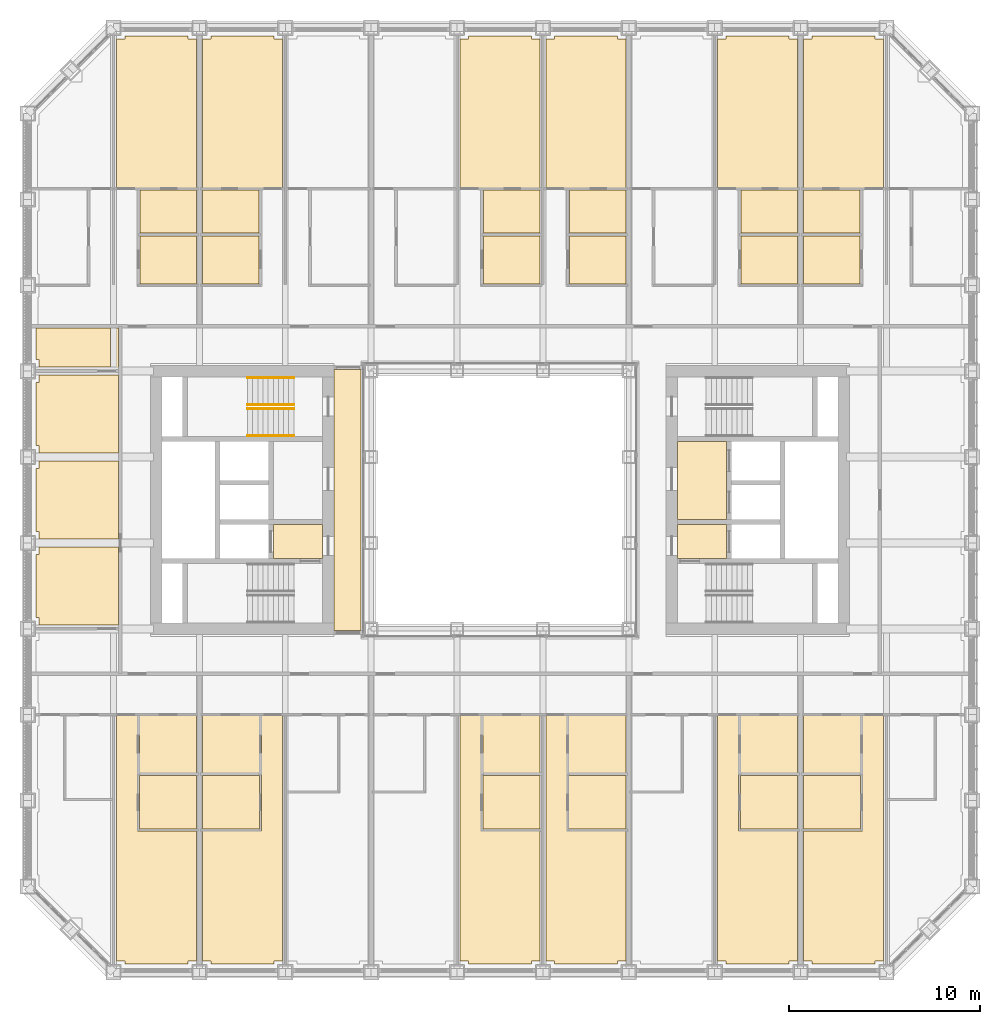
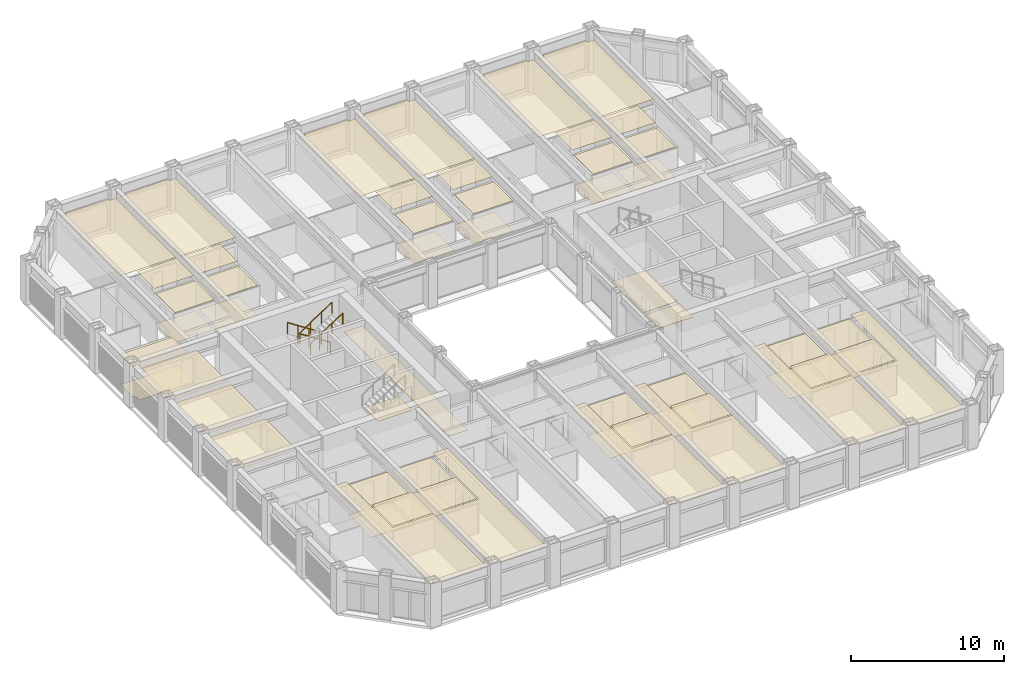
# One storey, part 18 of 21: 4 coverings, 4 railings.
"""IFC4 building model written with IfcOpenShell, lengths in metres."""

from ifc_helpers import new_model, si_unit, direction, frame, origin, origin_2d, place, context, subcontext, project, spatial, line, indexed_curve, circle, outline, extrude, material, layer, layer_set, type_object, element, save


model = new_model("IFC4")

# Units and contexts
model_context = context("Model", 3, precision=1e-05, world=origin(), true_north=direction((0.0, 1.0)))
body_context = subcontext(model_context, "Body", "Model", "MODEL_VIEW")
ifc_project = project(units=[si_unit("LENGTHUNIT", "METRE"), si_unit("AREAUNIT", "SQUARE_METRE"), si_unit("VOLUMEUNIT", "CUBIC_METRE"), si_unit("PLANEANGLEUNIT", "RADIAN"), si_unit("MASSUNIT", "GRAM", prefix="KILO")], contexts=[model_context])

# Site, building, storey
site_placement = place(None, origin())
site = spatial("IfcSite", under=ifc_project, at=site_placement, CompositionType="ELEMENT")
building_placement = place(site_placement, origin())
building = spatial("IfcBuilding", under=site, at=building_placement, Name="Msasa Ring Tower", CompositionType="ELEMENT")
storey_placement = place(building_placement, frame((0.0, 0.0, 51.0)))
storey = spatial("IfcBuildingStorey", under=building, at=storey_placement, Name="L12", CompositionType="ELEMENT", Elevation=51.0)

# Coverings
ifc_material_1 = material(Name="Gypsum plasterboard on a steel suspension grid", Category="steel")
ifc_layer_1 = layer(ifc_material_1, 0.014892578125)
ifc_layer_set_1 = layer_set([ifc_layer_1], Name="C1 SUSPENDED PLASTERBOARD CEILING 15")
covering_type_1 = type_object("IfcCoveringType", Name="C1 SUSPENDED PLASTERBOARD CEILING 15", PredefinedType="CEILING", material=ifc_layer_set_1)
covering_1_placement = place(storey_placement, frame((0.0, 0.0, 2.699951171875)))
element("IfcCovering", 1, at=covering_1_placement, inside=storey, type_object=covering_type_1, Name="Suspended Plasterboard Ceiling 15 L12", PredefinedType="CEILING", context=body_context, shape_type="SweptSolid", body=[
    extrude(outline(indexed_curve([(-20.00048828125, -6.539306640625), (-24.1494140625, -6.539306640625), (-24.1494140625, -6.1494140625), (-24.299560546875, -6.1494140625), (-24.299560546875, -2.8505859375), (-24.1494140625, -2.8505859375), (-24.1494140625, -2.460693359375), (-20.00048828125, -2.460693359375)], segments=[line(1, 2, 3, 4, 5, 6, 7, 8, 1)], self_intersect=False)), origin(), (0.0, 0.0, 1.0), 0.01513671875),
    extrude(outline(indexed_curve([(-20.00048828125, -2.039306640625), (-24.1494140625, -2.039306640625), (-24.1494140625, -1.6494140625), (-24.299560546875, -1.6494140625), (-24.299560546875, 1.6494140625), (-24.1494140625, 1.6494140625), (-24.1494140625, 2.039306640625), (-20.00048828125, 2.039306640625)], segments=[line(1, 2, 3, 4, 5, 6, 7, 8, 1)], self_intersect=False)), origin(), (0.0, 0.0, 1.0), 0.01513671875),
    extrude(outline(indexed_curve([(-20.00048828125, 2.460693359375), (-24.1494140625, 2.460693359375), (-24.1494140625, 2.8505859375), (-24.299560546875, 2.8505859375), (-24.299560546875, 6.1494140625), (-24.1494140625, 6.1494140625), (-24.1494140625, 6.539306640625), (-20.00048828125, 6.539306640625)], segments=[line(1, 2, 3, 4, 5, 6, 7, 8, 1)], self_intersect=False)), origin(), (0.0, 0.0, 1.0), 0.01513671875),
    extrude(outline(indexed_curve([(-19.6494140625, -24.299560546875), (-19.6494140625, -24.1494140625), (-20.095703125, -24.1494140625), (-20.095703125, -11.300537109375), (-19.00048828125, -11.300537109375), (-19.00048828125, -17.34130859375), (-15.904296875, -17.34130859375), (-15.904296875, -24.1494140625), (-16.3505859375, -24.1494140625), (-16.3505859375, -24.299560546875)], segments=[line(1, 2, 3, 4, 5, 6, 7, 8, 9, 10, 1)], self_intersect=False)), origin(), (0.0, 0.0, 1.0), 0.01513671875),
    extrude(outline(indexed_curve([(-20.095703125, 16.35546875), (-20.095703125, 24.1494140625), (-19.6494140625, 24.1494140625), (-19.6494140625, 24.299560546875), (-16.3505859375, 24.299560546875), (-16.3505859375, 24.1494140625), (-15.904296875, 24.1494140625), (-15.904296875, 16.35546875)], segments=[line(1, 2, 3, 4, 5, 6, 7, 8, 1)], self_intersect=False)), origin(), (0.0, 0.0, 1.0), 0.01513671875),
    extrude(outline(indexed_curve([(-15.904296875, -14.430419921875), (-15.904296875, -17.2353515625), (-18.8994140625, -17.2353515625), (-18.8994140625, -14.430419921875)], segments=[line(1, 2, 3, 4, 1)], self_intersect=False)), origin(), (0.0, 0.0, 1.0), 0.01513671875),
    extrude(outline(indexed_curve([(-15.904296875, 16.244384765625), (-15.904296875, 13.98046875), (-18.869384765625, 13.98046875), (-18.869384765625, 16.244384765625)], segments=[line(1, 2, 3, 4, 1)], self_intersect=False)), origin(), (0.0, 0.0, 1.0), 0.01513671875),
    extrude(outline(indexed_curve([(-15.1494140625, -24.299560546875), (-15.1494140625, -24.1494140625), (-15.595703125, -24.1494140625), (-15.595703125, -17.343994140625), (-12.49951171875, -17.343994140625), (-12.49951171875, -11.300537109375), (-11.404296875, -11.300537109375), (-11.404296875, -24.1494140625), (-11.8505859375, -24.1494140625), (-11.8505859375, -24.299560546875)], segments=[line(1, 2, 3, 4, 5, 6, 7, 8, 9, 10, 1)], self_intersect=False)), origin(), (0.0, 0.0, 1.0), 0.01513671875),
    extrude(outline(indexed_curve([(-12.6005859375, -14.430419921875), (-12.6005859375, -17.238037109375), (-15.595703125, -17.238037109375), (-15.595703125, -14.430419921875)], segments=[line(1, 2, 3, 4, 1)], self_intersect=False)), origin(), (0.0, 0.0, 1.0), 0.01513671875),
    extrude(outline(indexed_curve([(-12.630615234375, 16.244384765625), (-12.630615234375, 13.98046875), (-15.595703125, 13.98046875), (-15.595703125, 16.244384765625)], segments=[line(1, 2, 3, 4, 1)], self_intersect=False)), origin(), (0.0, 0.0, 1.0), 0.01513671875),
    extrude(outline(indexed_curve([(-11.8505859375, 24.299560546875), (-11.8505859375, 24.1494140625), (-11.404296875, 24.1494140625), (-11.404296875, 16.35546875), (-15.595703125, 16.35546875), (-15.595703125, 24.1494140625), (-15.1494140625, 24.1494140625), (-15.1494140625, 24.299560546875)], segments=[line(1, 2, 3, 4, 5, 6, 7, 8, 1)], self_intersect=False)), origin(), (0.0, 0.0, 1.0), 0.01513671875),
    extrude(outline(indexed_curve([(-1.00048828125, -11.300537109375), (-1.00048828125, -17.343994140625), (2.095703125, -17.343994140625), (2.095703125, -24.1494140625), (1.6494140625, -24.1494140625), (1.6494140625, -24.299560546875), (-1.6494140625, -24.299560546875), (-1.6494140625, -24.1494140625), (-2.095703125, -24.1494140625), (-2.095703125, -11.300537109375)], segments=[line(1, 2, 3, 4, 5, 6, 7, 8, 9, 10, 1)], self_intersect=False)), origin(), (0.0, 0.0, 1.0), 0.01513671875),
    extrude(outline(indexed_curve([(-2.095703125, 16.35546875), (-2.095703125, 24.1494140625), (-1.6494140625, 24.1494140625), (-1.6494140625, 24.299560546875), (1.6494140625, 24.299560546875), (1.6494140625, 24.1494140625), (2.095703125, 24.1494140625), (2.095703125, 16.35546875)], segments=[line(1, 2, 3, 4, 5, 6, 7, 8, 1)], self_intersect=False)), origin(), (0.0, 0.0, 1.0), 0.01513671875),
    extrude(outline(indexed_curve([(2.095703125, -14.430419921875), (2.095703125, -17.238037109375), (-0.8994140625, -17.238037109375), (-0.8994140625, -14.430419921875)], segments=[line(1, 2, 3, 4, 1)], self_intersect=False)), origin(), (0.0, 0.0, 1.0), 0.01513671875),
    extrude(outline(indexed_curve([(-0.869384765625, 16.244384765625), (2.095703125, 16.244384765625), (2.095703125, 13.98046875), (-0.869384765625, 13.98046875)], segments=[line(1, 2, 3, 4, 1)], self_intersect=False)), origin(), (0.0, 0.0, 1.0), 0.01513671875),
    extrude(outline(indexed_curve([(3.49951171875, -11.300537109375), (3.49951171875, -17.343994140625), (6.595703125, -17.343994140625), (6.595703125, -24.1494140625), (6.1494140625, -24.1494140625), (6.1494140625, -24.299560546875), (2.8505859375, -24.299560546875), (2.8505859375, -24.1494140625), (2.404296875, -24.1494140625), (2.404296875, -11.300537109375)], segments=[line(1, 2, 3, 4, 5, 6, 7, 8, 9, 10, 1)], self_intersect=False)), origin(), (0.0, 0.0, 1.0), 0.01513671875),
    extrude(outline(indexed_curve([(6.1494140625, 24.299560546875), (6.1494140625, 24.1494140625), (6.595703125, 24.1494140625), (6.595703125, 16.35546875), (2.404296875, 16.35546875), (2.404296875, 24.1494140625), (2.8505859375, 24.1494140625), (2.8505859375, 24.299560546875)], segments=[line(1, 2, 3, 4, 5, 6, 7, 8, 1)], self_intersect=False)), origin(), (0.0, 0.0, 1.0), 0.01513671875),
    extrude(outline(indexed_curve([(6.595703125, -14.430419921875), (6.595703125, -17.238037109375), (3.6005859375, -17.238037109375), (3.6005859375, -14.430419921875)], segments=[line(1, 2, 3, 4, 1)], self_intersect=False)), origin(), (0.0, 0.0, 1.0), 0.01513671875),
    extrude(outline(indexed_curve([(6.595703125, 16.244384765625), (6.595703125, 13.98046875), (3.630615234375, 13.98046875), (3.630615234375, 16.244384765625)], segments=[line(1, 2, 3, 4, 1)], self_intersect=False)), origin(), (0.0, 0.0, 1.0), 0.01513671875),
    extrude(outline(indexed_curve([(12.49951171875, -11.300537109375), (12.49951171875, -17.343994140625), (15.595703125, -17.343994140625), (15.595703125, -24.1494140625), (15.1494140625, -24.1494140625), (15.1494140625, -24.299560546875), (11.8505859375, -24.299560546875), (11.8505859375, -24.1494140625), (11.404296875, -24.1494140625), (11.404296875, -11.300537109375)], segments=[line(1, 2, 3, 4, 5, 6, 7, 8, 9, 10, 1)], self_intersect=False)), origin(), (0.0, 0.0, 1.0), 0.01513671875),
    extrude(outline(indexed_curve([(15.1494140625, 24.299560546875), (15.1494140625, 24.1494140625), (15.595703125, 24.1494140625), (15.595703125, 16.35546875), (11.404296875, 16.35546875), (11.404296875, 24.1494140625), (11.8505859375, 24.1494140625), (11.8505859375, 24.299560546875)], segments=[line(1, 2, 3, 4, 5, 6, 7, 8, 1)], self_intersect=False)), origin(), (0.0, 0.0, 1.0), 0.01513671875),
    extrude(outline(indexed_curve([(15.595703125, -14.430419921875), (15.595703125, -17.238037109375), (12.6005859375, -17.238037109375), (12.6005859375, -14.430419921875)], segments=[line(1, 2, 3, 4, 1)], self_intersect=False)), origin(), (0.0, 0.0, 1.0), 0.01513671875),
    extrude(outline(indexed_curve([(15.595703125, 16.244384765625), (15.595703125, 13.98046875), (12.630615234375, 13.98046875), (12.630615234375, 16.244384765625)], segments=[line(1, 2, 3, 4, 1)], self_intersect=False)), origin(), (0.0, 0.0, 1.0), 0.01513671875),
    extrude(outline(indexed_curve([(19.00048828125, -11.300537109375), (20.095703125, -11.300537109375), (20.095703125, -24.1494140625), (19.6494140625, -24.1494140625), (19.6494140625, -24.299560546875), (16.3505859375, -24.299560546875), (16.3505859375, -24.1494140625), (15.904296875, -24.1494140625), (15.904296875, -17.34130859375), (19.00048828125, -17.34130859375)], segments=[line(1, 2, 3, 4, 5, 6, 7, 8, 9, 10, 1)], self_intersect=False)), origin(), (0.0, 0.0, 1.0), 0.01513671875),
    extrude(outline(indexed_curve([(18.8994140625, -14.430419921875), (18.8994140625, -17.2353515625), (15.904296875, -17.2353515625), (15.904296875, -14.430419921875)], segments=[line(1, 2, 3, 4, 1)], self_intersect=False)), origin(), (0.0, 0.0, 1.0), 0.01513671875),
    extrude(outline(indexed_curve([(18.869384765625, 16.244384765625), (18.869384765625, 13.98046875), (15.904296875, 13.98046875), (15.904296875, 16.244384765625)], segments=[line(1, 2, 3, 4, 1)], self_intersect=False)), origin(), (0.0, 0.0, 1.0), 0.01513671875),
    extrude(outline(indexed_curve([(15.904296875, 16.35546875), (15.904296875, 24.1494140625), (16.3505859375, 24.1494140625), (16.3505859375, 24.299560546875), (19.6494140625, 24.299560546875), (19.6494140625, 24.1494140625), (20.095703125, 24.1494140625), (20.095703125, 16.35546875)], segments=[line(1, 2, 3, 4, 5, 6, 7, 8, 1)], self_intersect=False)), origin(), (0.0, 0.0, 1.0), 0.01513671875),
])
ifc_material_2 = material(Name="Moisture-resistant gypsum plasterboard on a steel suspension grid", Category="steel")
ifc_layer_2 = layer(ifc_material_2, 0.014892578125)
ifc_layer_set_2 = layer_set([ifc_layer_2], Name="C2 MOISTURE-RESISTANT PLASTERBOARD CEILING 15")
covering_type_2 = type_object("IfcCoveringType", Name="C2 MOISTURE-RESISTANT PLASTERBOARD CEILING 15", PredefinedType="CEILING", material=ifc_layer_set_2)
covering_2_placement = place(storey_placement, frame((0.0, 0.0, 2.39990234375)))
element("IfcCovering", 2, at=covering_2_placement, inside=storey, type_object=covering_type_2, Name="Moisture-Resistant Plasterboard Ceiling 15 L12", PredefinedType="CEILING", context=body_context, shape_type="SweptSolid", body=[
    extrude(outline(indexed_curve([(-20.404296875, 8.99951171875), (-20.404296875, 6.960693359375), (-24.1494140625, 6.960693359375), (-24.1494140625, 7.3505859375), (-24.299560546875, 7.3505859375), (-24.299560546875, 8.99951171875)], segments=[line(1, 2, 3, 4, 5, 6, 1)], self_intersect=False)), origin(), (0.0, 0.0, 1.0), 0.01513671875),
    extrude(outline(indexed_curve([(-18.8994140625, -14.299560546875), (-18.8994140625, -11.300537109375), (-15.904296875, -11.300537109375), (-15.904296875, -14.299560546875)], segments=[line(1, 2, 3, 4, 1)], self_intersect=False)), origin(), (0.0, 0.0, 1.0), 0.01513671875),
    extrude(outline(indexed_curve([(-18.869384765625, 13.819580078125), (-15.904296875, 13.819580078125), (-15.904296875, 11.305419921875), (-18.869384765625, 11.305419921875)], segments=[line(1, 2, 3, 4, 1)], self_intersect=False)), origin(), (0.0, 0.0, 1.0), 0.01513671875),
    extrude(outline(indexed_curve([(-12.6005859375, -11.300537109375), (-12.6005859375, -14.299560546875), (-15.595703125, -14.299560546875), (-15.595703125, -11.300537109375)], segments=[line(1, 2, 3, 4, 1)], self_intersect=False)), origin(), (0.0, 0.0, 1.0), 0.01513671875),
    extrude(outline(indexed_curve([(-12.630615234375, 13.819580078125), (-12.630615234375, 11.305419921875), (-15.595703125, 11.305419921875), (-15.595703125, 13.819580078125)], segments=[line(1, 2, 3, 4, 1)], self_intersect=False)), origin(), (0.0, 0.0, 1.0), 0.01513671875),
    extrude(outline(indexed_curve([(-0.8994140625, -11.300537109375), (2.095703125, -11.300537109375), (2.095703125, -14.299560546875), (-0.8994140625, -14.299560546875)], segments=[line(1, 2, 3, 4, 1)], self_intersect=False)), origin(), (0.0, 0.0, 1.0), 0.01513671875),
    extrude(outline(indexed_curve([(-0.869384765625, 11.305419921875), (-0.869384765625, 13.819580078125), (2.095703125, 13.819580078125), (2.095703125, 11.305419921875)], segments=[line(1, 2, 3, 4, 1)], self_intersect=False)), origin(), (0.0, 0.0, 1.0), 0.01513671875),
    extrude(outline(indexed_curve([(3.6005859375, -11.300537109375), (6.595703125, -11.300537109375), (6.595703125, -14.299560546875), (3.6005859375, -14.299560546875)], segments=[line(1, 2, 3, 4, 1)], self_intersect=False)), origin(), (0.0, 0.0, 1.0), 0.01513671875),
    extrude(outline(indexed_curve([(3.630615234375, 13.819580078125), (6.595703125, 13.819580078125), (6.595703125, 11.305419921875), (3.630615234375, 11.305419921875)], segments=[line(1, 2, 3, 4, 1)], self_intersect=False)), origin(), (0.0, 0.0, 1.0), 0.01513671875),
    extrude(outline(indexed_curve([(12.6005859375, -11.300537109375), (15.595703125, -11.300537109375), (15.595703125, -14.299560546875), (12.6005859375, -14.299560546875)], segments=[line(1, 2, 3, 4, 1)], self_intersect=False)), origin(), (0.0, 0.0, 1.0), 0.01513671875),
    extrude(outline(indexed_curve([(12.630615234375, 13.819580078125), (15.595703125, 13.819580078125), (15.595703125, 11.305419921875), (12.630615234375, 11.305419921875)], segments=[line(1, 2, 3, 4, 1)], self_intersect=False)), origin(), (0.0, 0.0, 1.0), 0.01513671875),
    extrude(outline(indexed_curve([(18.8994140625, -11.300537109375), (18.8994140625, -14.299560546875), (15.904296875, -14.299560546875), (15.904296875, -11.300537109375)], segments=[line(1, 2, 3, 4, 1)], self_intersect=False)), origin(), (0.0, 0.0, 1.0), 0.01513671875),
    extrude(outline(indexed_curve([(18.869384765625, 13.819580078125), (18.869384765625, 11.305419921875), (15.904296875, 11.305419921875), (15.904296875, 13.819580078125)], segments=[line(1, 2, 3, 4, 1)], self_intersect=False)), origin(), (0.0, 0.0, 1.0), 0.01513671875),
])
ifc_material_3 = material(Name="Honed granite tiles on a mortar bed", Category="masonry")
ifc_layer_3 = layer(ifc_material_3, 0.030029296875)
ifc_layer_set_3 = layer_set([ifc_layer_3], Name="F1 HONED GRANITE ON BEDDING 30")
covering_type_3 = type_object("IfcCoveringType", Name="F1 HONED GRANITE ON BEDDING 30", PredefinedType="FLOORING", material=ifc_layer_set_3)
covering_3_placement = place(storey_placement, origin())
element("IfcCovering", 3, at=covering_3_placement, inside=storey, type_object=covering_type_3, Name="Honed Granite On Bedding 30 L12", PredefinedType="FLOORING", context=body_context, shape_type="SweptSolid", body=[
    extrude(outline(indexed_curve([(-11.87451171875, -3.074462890625), (-11.87451171875, -1.275390625), (-9.300537109375, -1.275390625), (-9.300537109375, -3.074462890625)], segments=[line(1, 2, 3, 4, 1)], self_intersect=False)), origin(), (0.0, 0.0, 1.0), 0.030029296875),
    extrude(outline(indexed_curve([(-8.699462890625, -6.849609375), (-8.699462890625, 6.849609375), (-7.280029296875, 6.849609375), (-7.280029296875, -6.849609375)], segments=[line(1, 2, 3, 4, 1)], self_intersect=False)), origin(), (0.0, 0.0, 1.0), 0.030029296875),
    extrude(outline(indexed_curve([(9.300537109375, -3.074462890625), (9.300537109375, -1.275390625), (11.87451171875, -1.275390625), (11.87451171875, -3.074462890625)], segments=[line(1, 2, 3, 4, 1)], self_intersect=False)), origin(), (0.0, 0.0, 1.0), 0.030029296875),
    extrude(outline(indexed_curve([(9.300537109375, -1.0244140625), (9.300537109375, 3.074462890625), (11.87451171875, 3.074462890625), (11.87451171875, -1.0244140625)], segments=[line(1, 2, 3, 4, 1)], self_intersect=False)), origin(), (0.0, 0.0, 1.0), 0.030029296875),
])
ifc_material_4 = material(Name="Porcelain floor tiles in adhesive", Category="ceramic")
ifc_layer_4 = layer(ifc_material_4, 0.010009765625)
ifc_layer_set_4 = layer_set([ifc_layer_4], Name="F4 PORCELAIN TILE ON ADHESIVE 10")
covering_type_4 = type_object("IfcCoveringType", Name="F4 PORCELAIN TILE ON ADHESIVE 10", PredefinedType="FLOORING", material=ifc_layer_set_4)
covering_4_placement = place(storey_placement, origin())
element("IfcCovering", 4, at=covering_4_placement, inside=storey, type_object=covering_type_4, Name="Porcelain Tile On Adhesive 10 L12", PredefinedType="FLOORING", context=body_context, shape_type="SweptSolid", body=[
    extrude(outline(indexed_curve([(-20.00048828125, 6.83056640625), (-24.1494140625, 6.83056640625), (-24.1494140625, 7.3505859375), (-24.299560546875, 7.3505859375), (-24.299560546875, 8.99951171875), (-20.00048828125, 8.99951171875)], segments=[line(1, 2, 3, 4, 5, 6, 1)], self_intersect=False)), origin(), (0.0, 0.0, 1.0), 0.010009765625),
    extrude(outline(indexed_curve([(-15.87548828125, -11.300537109375), (-15.87548828125, -14.2744140625), (-18.87451171875, -14.2744140625), (-18.87451171875, -11.300537109375)], segments=[line(1, 2, 3, 4, 1)], self_intersect=False)), origin(), (0.0, 0.0, 1.0), 0.010009765625),
    extrude(outline(indexed_curve([(-15.87548828125, 13.819580078125), (-15.87548828125, 11.305419921875), (-18.869384765625, 11.305419921875), (-18.869384765625, 13.819580078125)], segments=[line(1, 2, 3, 4, 1)], self_intersect=False)), origin(), (0.0, 0.0, 1.0), 0.010009765625),
    extrude(outline(indexed_curve([(-12.62548828125, -11.300537109375), (-12.62548828125, -14.2744140625), (-15.62451171875, -14.2744140625), (-15.62451171875, -11.300537109375)], segments=[line(1, 2, 3, 4, 1)], self_intersect=False)), origin(), (0.0, 0.0, 1.0), 0.010009765625),
    extrude(outline(indexed_curve([(-12.630615234375, 13.819580078125), (-12.630615234375, 11.305419921875), (-15.62451171875, 11.305419921875), (-15.62451171875, 13.819580078125)], segments=[line(1, 2, 3, 4, 1)], self_intersect=False)), origin(), (0.0, 0.0, 1.0), 0.010009765625),
    extrude(outline(indexed_curve([(2.189453125, -11.300537109375), (2.189453125, -14.2744140625), (-0.87451171875, -14.2744140625), (-0.87451171875, -11.300537109375)], segments=[line(1, 2, 3, 4, 1)], self_intersect=False)), origin(), (0.0, 0.0, 1.0), 0.010009765625),
    extrude(outline(indexed_curve([(-0.869384765625, 13.819580078125), (2.189453125, 13.819580078125), (2.189453125, 11.305419921875), (-0.869384765625, 11.305419921875)], segments=[line(1, 2, 3, 4, 1)], self_intersect=False)), origin(), (0.0, 0.0, 1.0), 0.010009765625),
    extrude(outline(indexed_curve([(6.62451171875, -11.300537109375), (6.62451171875, -14.2744140625), (3.62548828125, -14.2744140625), (3.62548828125, -11.300537109375)], segments=[line(1, 2, 3, 4, 1)], self_intersect=False)), origin(), (0.0, 0.0, 1.0), 0.010009765625),
    extrude(outline(indexed_curve([(6.62451171875, 13.819580078125), (6.62451171875, 11.305419921875), (3.630615234375, 11.305419921875), (3.630615234375, 13.819580078125)], segments=[line(1, 2, 3, 4, 1)], self_intersect=False)), origin(), (0.0, 0.0, 1.0), 0.010009765625),
    extrude(outline(indexed_curve([(15.62451171875, -11.300537109375), (15.62451171875, -14.2744140625), (12.62548828125, -14.2744140625), (12.62548828125, -11.300537109375)], segments=[line(1, 2, 3, 4, 1)], self_intersect=False)), origin(), (0.0, 0.0, 1.0), 0.010009765625),
    extrude(outline(indexed_curve([(15.62451171875, 13.819580078125), (15.62451171875, 11.305419921875), (12.630615234375, 11.305419921875), (12.630615234375, 13.819580078125)], segments=[line(1, 2, 3, 4, 1)], self_intersect=False)), origin(), (0.0, 0.0, 1.0), 0.010009765625),
    extrude(outline(indexed_curve([(18.87451171875, -11.300537109375), (18.87451171875, -14.2744140625), (15.87548828125, -14.2744140625), (15.87548828125, -11.300537109375)], segments=[line(1, 2, 3, 4, 1)], self_intersect=False)), origin(), (0.0, 0.0, 1.0), 0.010009765625),
    extrude(outline(indexed_curve([(18.869384765625, 13.819580078125), (18.869384765625, 11.305419921875), (15.87548828125, 11.305419921875), (15.87548828125, 13.819580078125)], segments=[line(1, 2, 3, 4, 1)], self_intersect=False)), origin(), (0.0, 0.0, 1.0), 0.010009765625),
])

# Railings
ifc_material_5 = material(Name="Stainless steel", Category="steel")
railing_type = type_object("IfcRailingType", Name="HR1 HANDRAIL 900", PredefinedType="HANDRAIL", material=ifc_material_5)
for number, where, name in (
    (5, (-10.800048828125, 5.0, 0.175048828125), "Handrail stair SWB L12 1"),
    (6, (-10.800048828125, 6.39990234375, 0.175048828125), "Handrail stair SWB L12 2"),
):
    element("IfcRailing", number, at=place(storey_placement, frame(where)), inside=storey, type_object=railing_type, Name=name, PredefinedType="HANDRAIL", context=body_context, shape_type="SweptSolid", body=[
        extrude(circle(Radius=0.02392578125, at=origin_2d()), frame((0.0, 0.0, 0.8759765625), z_axis=(-0.839153699163, 0.0, 0.543894354798), x_axis=(0.0, -1.0, 0.0)), (0.0, 0.0, 1.0), 2.895751953125),
        extrude(circle(Radius=0.02099609375, at=origin_2d()), origin(), (0.0, 0.0, 1.0), 0.851806640625),
        extrude(circle(Radius=0.02099609375, at=origin_2d()), frame((-0.81005859375, 0.0, 0.52490234375)), (0.0, 0.0, 1.0), 0.851806640625),
        extrude(circle(Radius=0.02099609375, at=origin_2d()), frame((-1.619873046875, 0.0, 1.050048828125)), (0.0, 0.0, 1.0), 0.851806640625),
        extrude(circle(Radius=0.02099609375, at=origin_2d()), frame((-2.429931640625, 0.0, 1.574951171875)), (0.0, 0.0, 1.0), 0.851806640625),
    ])
for number, where, name in (
    (7, (-13.22998046875, 3.375, 1.925048828125), "Handrail stair SWB L12 3"),
    (8, (-13.22998046875, 4.77490234375, 1.925048828125), "Handrail stair SWB L12 4"),
):
    element("IfcRailing", number, at=place(storey_placement, frame(where)), inside=storey, type_object=railing_type, Name=name, PredefinedType="HANDRAIL", context=body_context, shape_type="SweptSolid", body=[
        extrude(circle(Radius=0.02392578125, at=origin_2d()), frame((0.0, 0.0, 0.8759765625), z_axis=(0.839153699163, 0.0, 0.543894354798), x_axis=(0.0, 1.0, 0.0)), (0.0, 0.0, 1.0), 2.895751953125),
        extrude(circle(Radius=0.02099609375, at=origin_2d()), origin(), (0.0, 0.0, 1.0), 0.851806640625),
        extrude(circle(Radius=0.02099609375, at=origin_2d()), frame((0.81005859375, 0.0, 0.52490234375)), (0.0, 0.0, 1.0), 0.851806640625),
        extrude(circle(Radius=0.02099609375, at=origin_2d()), frame((1.619873046875, 0.0, 1.050048828125)), (0.0, 0.0, 1.0), 0.851806640625),
        extrude(circle(Radius=0.02099609375, at=origin_2d()), frame((2.429931640625, 0.0, 1.574951171875)), (0.0, 0.0, 1.0), 0.851806640625),
    ])

save(model, "model.ifc")
